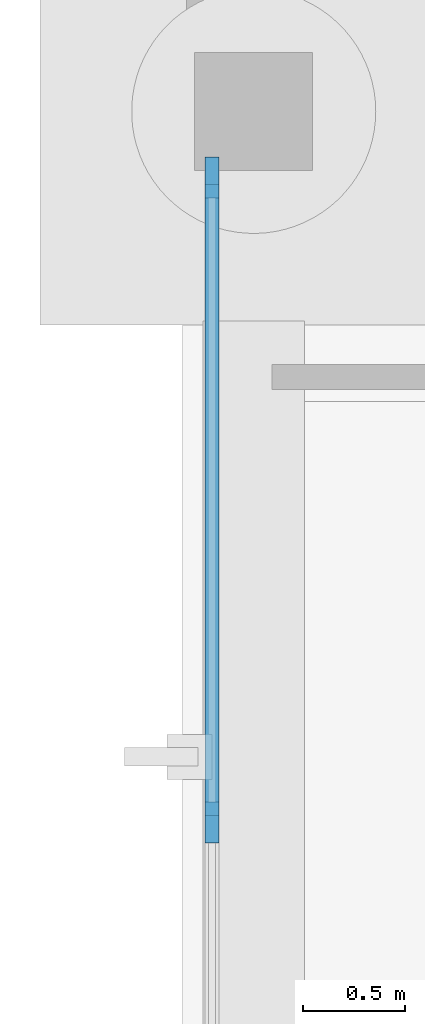
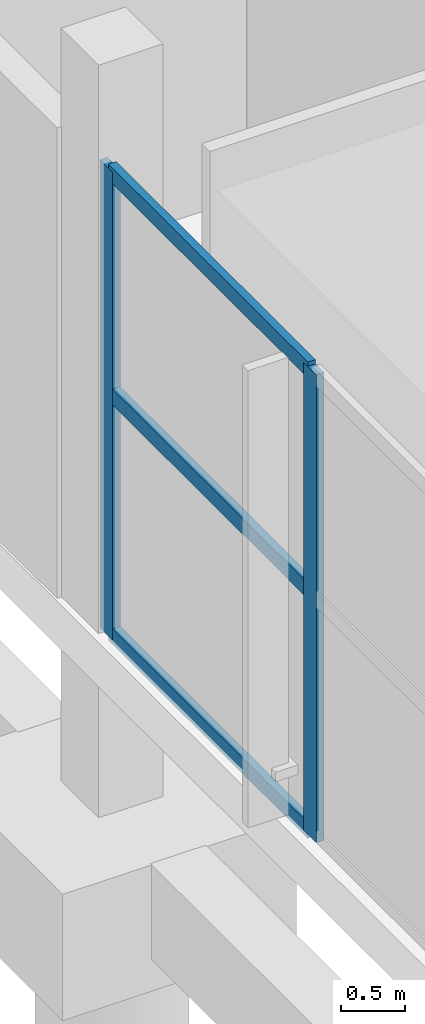
# One storey, part 39 of 88: 5 members, 1 element without a shape of its own.
"""IFC4 building model written with IfcOpenShell, lengths in metres."""

import ifcopenshell
import ifcopenshell.guid

model = None  # the IFC model being written
_history = None  # IfcOwnerHistory: only IFC2X3 demands one
_inside = {}  # id of a spatial element -> (the spatial element, [elements in it])
_under = {}  # id of a project, library or spatial element -> (it, [spatial elements below it])
_declared = {}  # id of a project -> (the project, [libraries it declares])
_typed = {}  # id of a type object -> (the type object, [elements of that type])
_made_of = {}  # id of a material, layer set ... -> (it, [elements and type objects made of it])


def new_model(schema):
    """Start an empty IFC model of exactly this schema.

    Asked for "IFC4X3", IfcOpenShell would pick the latest addendum, in which some entities
    have other attributes; the version numbers below select the first issue.
    IFC2X3 requires an IfcOwnerHistory on every rooted entity: one is made here for all.
    """
    global model, _history
    if schema == "IFC4X3":
        model = ifcopenshell.file(schema_version=(4, 3, 0, 0))
    else:
        model = ifcopenshell.file(schema=schema)
    _inside.clear()
    _under.clear()
    _declared.clear()
    _typed.clear()
    _made_of.clear()
    _history = None
    if model.schema == "IFC2X3":
        org = make("IfcOrganization", Name="unknown")
        user = make(
            "IfcPersonAndOrganization",
            ThePerson=make("IfcPerson", FamilyName="unknown"),
            TheOrganization=org,
        )
        app = make(
            "IfcApplication",
            ApplicationDeveloper=org,
            Version="unknown",
            ApplicationFullName="unknown",
            ApplicationIdentifier="unknown",
        )
        _history = make(
            "IfcOwnerHistory",
            OwningUser=user,
            OwningApplication=app,
            ChangeAction="ADDED",
            CreationDate=0,
        )
    return model


def make(cls, **values):
    """One entity of the class cls with the attributes given. An attribute that is None is left unset."""
    return model.create_entity(
        cls, **{name: value for name, value in values.items() if value is not None}
    )


def rooted(cls, **values):
    """An entity with a GlobalId (a new one), such as an element, a storey or a relation."""
    return make(cls, GlobalId=ifcopenshell.guid.new(), OwnerHistory=_history, **values)


def si_unit(unit_type, name, prefix=None):
    """IfcSIUnit, for example si_unit("LENGTHUNIT", "METRE", prefix="MILLI")."""
    return make("IfcSIUnit", UnitType=unit_type, Prefix=prefix, Name=name)


def assignment(units):
    """IfcUnitAssignment: the units of a project."""
    return None if units is None else make("IfcUnitAssignment", Units=units)


def point(xyz):
    """IfcCartesianPoint."""
    return None if xyz is None else make("IfcCartesianPoint", Coordinates=xyz)


def direction(xyz):
    """IfcDirection."""
    return None if xyz is None else make("IfcDirection", DirectionRatios=xyz)


def frame(location, z_axis=None, x_axis=None):
    """IfcAxis2Placement3D, a coordinate frame: its origin and axes. An axis left out is left unset."""
    return make(
        "IfcAxis2Placement3D",
        Location=point(location),
        Axis=direction(z_axis),
        RefDirection=direction(x_axis),
    )


def frame_2d(location, x_axis=None):
    """IfcAxis2Placement2D, a coordinate frame in the plane: its origin and x axis."""
    return make(
        "IfcAxis2Placement2D", Location=point(location), RefDirection=direction(x_axis)
    )


def origin():
    """The frame at (0, 0, 0) with its axes left unset."""
    return frame((0.0, 0.0, 0.0))


def origin_2d():
    """The frame at (0, 0) in the plane with its x axis left unset."""
    return frame_2d((0.0, 0.0))


def place(relative_to, where):
    """IfcLocalPlacement: puts the frame where relative to a parent placement (None: the world)."""
    return make(
        "IfcLocalPlacement", PlacementRelTo=relative_to, RelativePlacement=where
    )


def context(
    kind, dimensions, precision=None, world=None, true_north=None, identifier=None
):
    """IfcGeometricRepresentationContext, for example the 3D "Model" context."""
    return make(
        "IfcGeometricRepresentationContext",
        ContextIdentifier=identifier,
        ContextType=kind,
        CoordinateSpaceDimension=dimensions,
        Precision=precision,
        WorldCoordinateSystem=world,
        TrueNorth=true_north,
    )


def subcontext(parent, identifier, kind, view, scale=None):
    """IfcGeometricRepresentationSubContext, for example "Body" below "Model"."""
    return make(
        "IfcGeometricRepresentationSubContext",
        ContextIdentifier=identifier,
        ContextType=kind,
        ParentContext=parent,
        TargetScale=scale,
        TargetView=view,
    )


def project(units=None, contexts=None):
    """IfcProject with its units and contexts."""
    return rooted(
        "IfcProject",
        Name="project",
        RepresentationContexts=contexts,
        UnitsInContext=assignment(units),
    )


def spatial(cls, under=None, at=None, **own):
    """A site, building, storey or space (cls), placed at a placement, below another one or the project."""
    s = rooted(cls, ObjectPlacement=at, **own)
    if under is not None:
        _under.setdefault(under.id(), (under, []))[1].append(s)
    return s


def profile(cls, at=None, kind="AREA", **sizes):
    """A parametric profile (cls). Its sizes go by their IFC names, for example OverallWidth=200.0."""
    return make(cls, ProfileType=kind, Position=at, **sizes)


def rectangle(**sizes):
    """IfcRectangleProfileDef."""
    return profile("IfcRectangleProfileDef", **sizes)


def extrude(swept, where, along, depth):
    """IfcExtrudedAreaSolid: the profile swept, set in the frame where, extruded along a direction by depth."""
    return make(
        "IfcExtrudedAreaSolid",
        SweptArea=swept,
        Position=where,
        ExtrudedDirection=direction(along),
        Depth=depth,
    )


def shape(context_of_items, identifier, shape_type, items):
    """IfcShapeRepresentation: the items that make up one representation, for example the "Body"."""
    return make(
        "IfcShapeRepresentation",
        ContextOfItems=context_of_items,
        RepresentationIdentifier=identifier,
        RepresentationType=shape_type,
        Items=items,
    )


def material(Name=None, Category=None):
    """IfcMaterial."""
    return make("IfcMaterial", Name=Name, Category=Category)


def layer(
    of_material, thickness, ventilated=None, Name=None, Category=None, Priority=None
):
    """IfcMaterialLayer: one layer of a wall or slab, of a material (None: an air gap)."""
    return make(
        "IfcMaterialLayer",
        Material=of_material,
        LayerThickness=thickness,
        IsVentilated=ventilated,
        Name=Name,
        Category=Category,
        Priority=Priority,
    )


def layer_set(layers, Name=None):
    """IfcMaterialLayerSet."""
    return make("IfcMaterialLayerSet", MaterialLayers=layers, LayerSetName=Name)


def material_profile(
    of_material, cross_section, Name=None, Category=None, Priority=None
):
    """IfcMaterialProfile: a cross section and its material."""
    return make(
        "IfcMaterialProfile",
        Name=Name,
        Material=of_material,
        Profile=cross_section,
        Priority=Priority,
        Category=Category,
    )


def profile_set(profiles, Name=None, composite=None):
    """IfcMaterialProfileSet."""
    return make(
        "IfcMaterialProfileSet",
        Name=Name,
        MaterialProfiles=profiles,
        CompositeProfile=composite,
    )


def made_of(thing, what):
    """Note that an element or type object is made of a material, layer set ...; save() writes the relation."""
    if what is not None:
        _made_of.setdefault(what.id(), (what, []))[1].append(thing)
    return thing


def type_object(cls, material=None, **own):
    """A type object (cls), such as IfcWallType, which elements share."""
    return made_of(rooted(cls, **own), material)


def element(
    cls,
    number,
    at=None,
    inside=None,
    cuts=None,
    type_object=None,
    material=None,
    context=None,
    identifier="Body",
    shape_type=None,
    held_by="IfcProductDefinitionShape",
    body=None,
    shapes=None,
    **own,
):
    """One element of the class cls, such as IfcWall. Its Tag is "e" and its number.

    at: its placement. inside: the storey or other place that contains it. cuts: it is an
    opening in that element (IfcRelVoidsElement). A single representation is given by context,
    identifier, shape_type and body (its items); several are given by shapes. held_by: the class
    of the entity that holds the representations. save() writes the other relations.
    """
    e = rooted(cls, Tag="e%d" % number, ObjectPlacement=at, **own)
    if body is not None:
        shapes = [shape(context, identifier, shape_type, body)]
    if shapes is not None:
        e.Representation = make(held_by, Representations=shapes)
    if inside is not None:
        _inside.setdefault(inside.id(), (inside, []))[1].append(e)
    if cuts is not None:
        rooted(
            "IfcRelVoidsElement", RelatingBuildingElement=cuts, RelatedOpeningElement=e
        )
    if type_object is not None:
        _typed.setdefault(type_object.id(), (type_object, []))[1].append(e)
    return made_of(e, material)


def aggregate(whole, parts):
    """IfcRelAggregates: a whole, such as a stair, and the parts it consists of."""
    return rooted("IfcRelAggregates", RelatingObject=whole, RelatedObjects=parts)


def save(model, path):
    """Write the relations noted so far, then the file.

    IfcRelAggregates (storeys below a building ...), IfcRelContainedInSpatialStructure (elements
    in a storey), IfcRelDefinesByType, IfcRelAssociatesMaterial and IfcRelDeclares: one each for
    every whole, place, type object, material and project.
    """
    for whole, parts in _under.values():
        aggregate(whole, parts)
    for where, things in _inside.values():
        rooted(
            "IfcRelContainedInSpatialStructure",
            RelatedElements=things,
            RelatingStructure=where,
        )
    for kind, things in _typed.values():
        rooted("IfcRelDefinesByType", RelatedObjects=things, RelatingType=kind)
    for what, things in _made_of.values():
        rooted("IfcRelAssociatesMaterial", RelatedObjects=things, RelatingMaterial=what)
    for by, libraries in _declared.values():
        rooted("IfcRelDeclares", RelatingContext=by, RelatedDefinitions=libraries)
    model.write(path)


model = new_model("IFC4")

# Units and contexts
model_context = context("Model", 3, precision=1e-05, world=origin(), true_north=direction((0.0, 1.0)))
body_context = subcontext(model_context, "Body", "Model", "MODEL_VIEW")
ifc_project = project(units=[si_unit("LENGTHUNIT", "METRE"), si_unit("AREAUNIT", "SQUARE_METRE"), si_unit("VOLUMEUNIT", "CUBIC_METRE"), si_unit("PLANEANGLEUNIT", "RADIAN"), si_unit("MASSUNIT", "GRAM", prefix="KILO")], contexts=[model_context])

# Site, building, storey
site_placement = place(None, origin())
site = spatial("IfcSite", under=ifc_project, at=site_placement, CompositionType="ELEMENT")
building_placement = place(site_placement, origin())
building = spatial("IfcBuilding", under=site, at=building_placement, Name="Birchvale Park Specialist Clinic", CompositionType="ELEMENT")
storey_placement = place(building_placement, origin())
storey = spatial("IfcBuildingStorey", under=building, at=storey_placement, Name="L00", CompositionType="ELEMENT", Elevation=0.0)

# Curtain wall, members
ifc_material = material(Name="Thermally broken anodised aluminium", Category="aluminium")
ifc_layer = layer(ifc_material, 0.2099609375)
ifc_layer_set = layer_set([ifc_layer], Name="Thermally broken anodised aluminium")
curtain_wall_type = type_object("IfcCurtainWallType", Name="CW-U3", PredefinedType="USERDEFINED", material=ifc_layer_set)
curtain_wall_placement = place(storey_placement, origin())
curtain_wall = element("IfcCurtainWall", 1, at=curtain_wall_placement, inside=storey, type_object=curtain_wall_type, Name="V6 L00 glazed curtain wall 66", ObjectType="UNITISED", PredefinedType="USERDEFINED")
ifc_material_profile_1 = material_profile(ifc_material, rectangle(XDim=0.070068359375, YDim=0.199951171875, at=origin_2d()), Name="CWM-70x200")
ifc_profile_set_1 = profile_set([ifc_material_profile_1], Name="Thermally broken anodised aluminium")
member_type_1 = type_object("IfcMemberType", Name="CWM3", PredefinedType="MULLION", material=ifc_profile_set_1)
member_1_placement = place(storey_placement, frame((128.14501953125, 101.074951171875, 0.0), z_axis=(0.0, 0.0, 1.0), x_axis=(1.0, 0.0, 0.0)))
member_1 = element("IfcMember", 2, at=member_1_placement, type_object=member_type_1, Name="CW mullion 1", PredefinedType="MULLION", context=body_context, shape_type="SweptSolid", body=[
    extrude(rectangle(XDim=0.070068359375, YDim=0.199951171875, at=origin_2d()), origin(), (0.0, 0.0, 1.0), 4.445068359375),
])
member_2_placement = place(storey_placement, frame((128.14501953125, 97.9033203125, 0.0), z_axis=(0.0, 0.0, 1.0), x_axis=(1.0, 0.0, 0.0)))
member_2 = element("IfcMember", 3, at=member_2_placement, type_object=member_type_1, Name="CW mullion 2", PredefinedType="MULLION", context=body_context, shape_type="SweptSolid", body=[
    extrude(rectangle(XDim=0.070068359375, YDim=0.199951171875, at=origin_2d()), origin(), (0.0, 0.0, 1.0), 4.445068359375),
])
ifc_material_profile_2 = material_profile(ifc_material, rectangle(XDim=0.070068359375, YDim=0.14990234375, at=origin_2d()), Name="CWT-70x150")
ifc_profile_set_2 = profile_set([ifc_material_profile_2], Name="Thermally broken anodised aluminium")
member_type_2 = type_object("IfcMemberType", Name="CWT3", PredefinedType="USERDEFINED", material=ifc_profile_set_2)
member_3_placement = place(storey_placement, frame((128.14501953125, 101.0400390625, 0.034912109375), z_axis=(0.0, -1.0, 0.0), x_axis=(1.0, 0.0, 0.0)))
member_3 = element("IfcMember", 4, at=member_3_placement, type_object=member_type_2, Name="CW transom 1.1", ObjectType="TRANSOM", PredefinedType="USERDEFINED", context=body_context, shape_type="SweptSolid", body=[
    extrude(rectangle(XDim=0.070068359375, YDim=0.14990234375, at=origin_2d()), origin(), (0.0, 0.0, 1.0), 3.101806640625),
])
member_4_placement = place(storey_placement, frame((128.14501953125, 101.0400390625, 2.311279296875), z_axis=(0.0, -1.0, 0.0), x_axis=(1.0, 0.0, 0.0)))
member_4 = element("IfcMember", 5, at=member_4_placement, type_object=member_type_2, Name="CW transom 1.2", ObjectType="TRANSOM", PredefinedType="USERDEFINED", context=body_context, shape_type="SweptSolid", body=[
    extrude(rectangle(XDim=0.070068359375, YDim=0.14990234375, at=origin_2d()), origin(), (0.0, 0.0, 1.0), 3.101806640625),
])
member_5_placement = place(storey_placement, frame((128.14501953125, 101.0400390625, 4.409912109375), z_axis=(0.0, -1.0, 0.0), x_axis=(1.0, 0.0, 0.0)))
member_5 = element("IfcMember", 6, at=member_5_placement, type_object=member_type_2, Name="CW transom 1.3", ObjectType="TRANSOM", PredefinedType="USERDEFINED", context=body_context, shape_type="SweptSolid", body=[
    extrude(rectangle(XDim=0.070068359375, YDim=0.14990234375, at=origin_2d()), origin(), (0.0, 0.0, 1.0), 3.101806640625),
])
aggregate(curtain_wall, [member_1, member_2, member_3, member_4, member_5])

save(model, "model.ifc")
